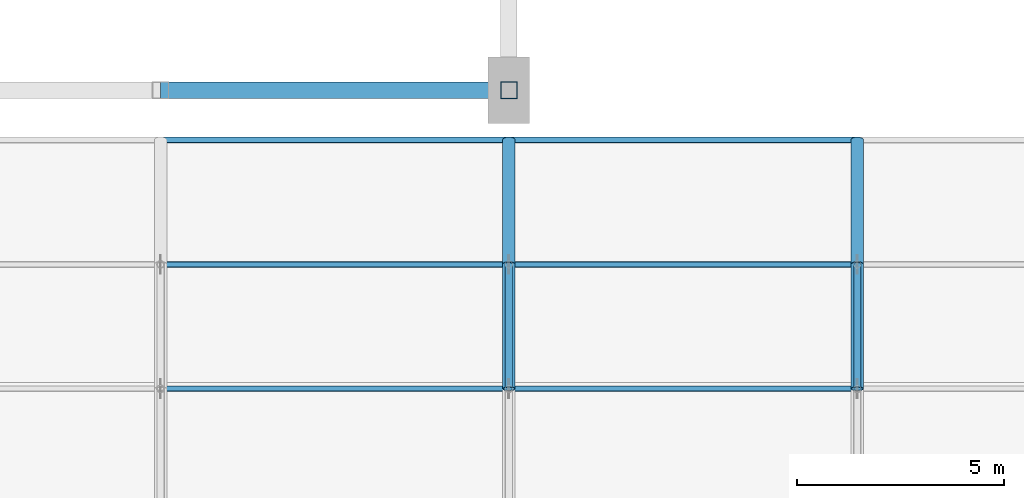
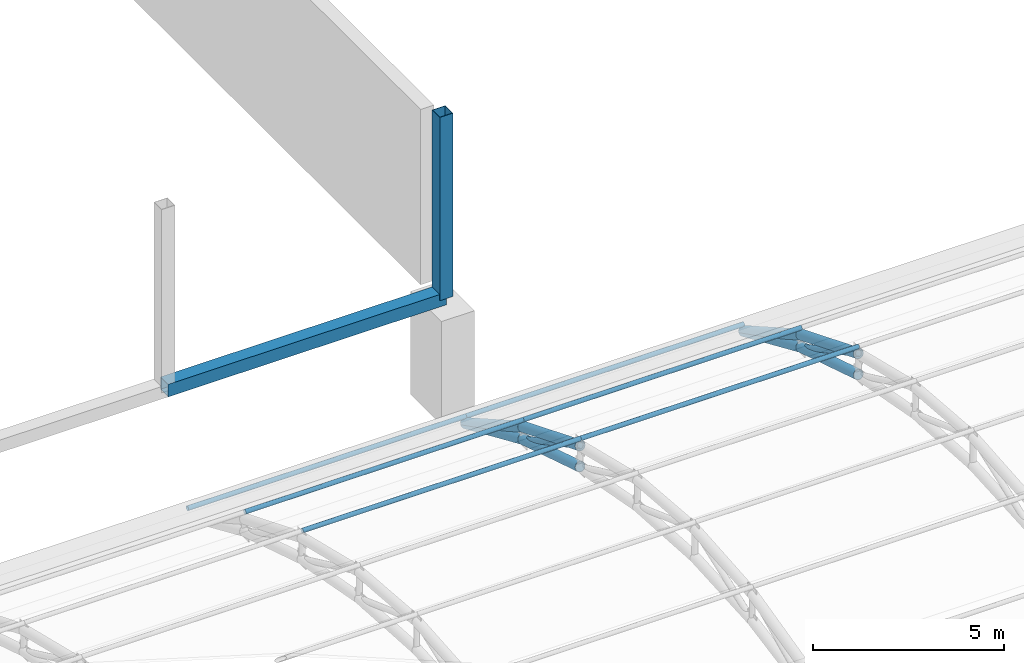
# One storey, part 55 of 163: 18 members.
"""IFC4 building model written with IfcOpenShell, lengths in metres."""

from ifc_helpers import new_model, si_unit, direction, frame, origin, origin_2d, place, context, subcontext, project, spatial, hollow_rectangle, hollow_circle, extrude, material, material_profile, profile_set, type_object, element, save


model = new_model("IFC4")

# Units and contexts
model_context = context("Model", 3, precision=1e-05, world=origin(), true_north=direction((0.0, 1.0)))
body_context = subcontext(model_context, "Body", "Model", "MODEL_VIEW")
ifc_project = project(units=[si_unit("LENGTHUNIT", "METRE"), si_unit("AREAUNIT", "SQUARE_METRE"), si_unit("VOLUMEUNIT", "CUBIC_METRE"), si_unit("PLANEANGLEUNIT", "RADIAN"), si_unit("MASSUNIT", "GRAM", prefix="KILO")], contexts=[model_context])

# Site, building, storey
site_placement = place(None, origin())
site = spatial("IfcSite", under=ifc_project, at=site_placement, CompositionType="ELEMENT")
building_placement = place(site_placement, origin())
building = spatial("IfcBuilding", under=site, at=building_placement, Name="Rain Tree Exposition and Congress Centre", CompositionType="ELEMENT")
storey_placement = place(building_placement, frame((0.0, 0.0, 10.5)))
storey = spatial("IfcBuildingStorey", under=building, at=storey_placement, Name="L02", CompositionType="ELEMENT", Elevation=10.5)

# Members
ifc_material_1 = material(Name="Steel S355J2H", Category="steel")
ifc_material_profile_1 = material_profile(ifc_material_1, hollow_circle(Radius=0.090087890625, WallThickness=0.008056640625, at=origin_2d()), Name="CHS 180x8")
ifc_profile_set_1 = profile_set([ifc_material_profile_1], Name="Steel S355J2H")
member_type_1 = type_object("IfcMemberType", Name="Steel brace member CHS 180x8", PredefinedType="BRACE", material=ifc_profile_set_1)
for number, where, z_axis, x_axis, name in (
    (1, (243.60009765625, 96.60009765625, 1.4423828125), (0.0, -0.880818418444, 0.473454236151), (1.0, 0.0, 0.0), "Roof truss 30 diagonal 6"),
    (2, (252.0, 96.60009765625, 1.4423828125), (0.0, -0.880818418444, 0.473454236151), (1.0, 0.0, 0.0), "Roof truss 31 diagonal 6"),
):
    element("IfcMember", number, at=place(storey_placement, frame(where, z_axis=z_axis, x_axis=x_axis)), inside=storey, type_object=member_type_1, Name=name, PredefinedType="BRACE", context=body_context, shape_type="SweptSolid", body=[
        extrude(hollow_circle(Radius=0.090087890625, WallThickness=0.008056640625, at=origin_2d()), origin(), (0.0, 0.0, 1.0), 3.406005859375),
    ])
ifc_material_2 = material(Name="Steel S355J2H", Category="steel")
ifc_material_profile_2 = material_profile(ifc_material_2, hollow_circle(Radius=0.14990234375, WallThickness=0.013916015625, at=origin_2d()), Name="CHS 300x14")
ifc_profile_set_2 = profile_set([ifc_material_profile_2], Name="Steel S355J2H")
member_type_2 = type_object("IfcMemberType", Name="Steel chord member CHS 300x14", PredefinedType="CHORD", material=ifc_profile_set_2)
member_1_placement = place(storey_placement, frame((243.60009765625, 93.60009765625, 3.054931640625), z_axis=(0.0, 0.926466577122, -0.376377046956), x_axis=(-1.0, 0.0, 0.0)))
element("IfcMember", 3, at=member_1_placement, inside=storey, type_object=member_type_2, Name="Roof truss 30 top chord 7", PredefinedType="CHORD", context=body_context, shape_type="SweptSolid", body=[
    extrude(hollow_circle(Radius=0.14990234375, WallThickness=0.013916015625, at=origin_2d()), origin(), (0.0, 0.0, 1.0), 3.238037109375),
])
member_2_placement = place(storey_placement, frame((243.60009765625, 93.60009765625, 2.3798828125), z_axis=(0.0, 0.954479978035, -0.298274993136), x_axis=(-1.0, 0.0, 0.0)))
element("IfcMember", 4, at=member_2_placement, inside=storey, type_object=member_type_2, Name="Roof truss 30 bottom chord 7", PredefinedType="CHORD", context=body_context, shape_type="SweptSolid", body=[
    extrude(hollow_circle(Radius=0.14990234375, WallThickness=0.013916015625, at=origin_2d()), origin(), (0.0, 0.0, 1.0), 3.14306640625),
])
member_3_placement = place(storey_placement, frame((243.60009765625, 96.60009765625, 1.836181640625), z_axis=(0.0, 0.869238262324, -0.494393409455), x_axis=(-1.0, 0.0, 0.0)))
element("IfcMember", 5, at=member_3_placement, inside=storey, type_object=member_type_2, Name="Roof truss 30 top chord 8", PredefinedType="CHORD", context=body_context, shape_type="SweptSolid", body=[
    extrude(hollow_circle(Radius=0.14990234375, WallThickness=0.013916015625, at=origin_2d()), origin(), (0.0, 0.0, 1.0), 3.451416015625),
])
member_4_placement = place(storey_placement, frame((243.60009765625, 96.60009765625, 1.4423828125), z_axis=(0.0, 0.916157334902, -0.40081883402), x_axis=(-1.0, 0.0, 0.0)))
element("IfcMember", 6, at=member_4_placement, inside=storey, type_object=member_type_2, Name="Roof truss 30 bottom chord 8", PredefinedType="CHORD", context=body_context, shape_type="SweptSolid", body=[
    extrude(hollow_circle(Radius=0.14990234375, WallThickness=0.013916015625, at=origin_2d()), origin(), (0.0, 0.0, 1.0), 3.274658203125),
])
member_5_placement = place(storey_placement, frame((252.0, 93.60009765625, 3.054931640625), z_axis=(0.0, 0.926466577122, -0.376377046956), x_axis=(-1.0, 0.0, 0.0)))
element("IfcMember", 7, at=member_5_placement, inside=storey, type_object=member_type_2, Name="Roof truss 31 top chord 7", PredefinedType="CHORD", context=body_context, shape_type="SweptSolid", body=[
    extrude(hollow_circle(Radius=0.14990234375, WallThickness=0.013916015625, at=origin_2d()), origin(), (0.0, 0.0, 1.0), 3.238037109375),
])
member_6_placement = place(storey_placement, frame((252.0, 93.60009765625, 2.3798828125), z_axis=(0.0, 0.954479978035, -0.298274993136), x_axis=(-1.0, 0.0, 0.0)))
element("IfcMember", 8, at=member_6_placement, inside=storey, type_object=member_type_2, Name="Roof truss 31 bottom chord 7", PredefinedType="CHORD", context=body_context, shape_type="SweptSolid", body=[
    extrude(hollow_circle(Radius=0.14990234375, WallThickness=0.013916015625, at=origin_2d()), origin(), (0.0, 0.0, 1.0), 3.14306640625),
])
member_7_placement = place(storey_placement, frame((252.0, 96.60009765625, 1.836181640625), z_axis=(0.0, 0.869238262324, -0.494393409455), x_axis=(-1.0, 0.0, 0.0)))
element("IfcMember", 9, at=member_7_placement, inside=storey, type_object=member_type_2, Name="Roof truss 31 top chord 8", PredefinedType="CHORD", context=body_context, shape_type="SweptSolid", body=[
    extrude(hollow_circle(Radius=0.14990234375, WallThickness=0.013916015625, at=origin_2d()), origin(), (0.0, 0.0, 1.0), 3.451416015625),
])
member_8_placement = place(storey_placement, frame((252.0, 96.60009765625, 1.4423828125), z_axis=(0.0, 0.916157334902, -0.40081883402), x_axis=(-1.0, 0.0, 0.0)))
element("IfcMember", 10, at=member_8_placement, inside=storey, type_object=member_type_2, Name="Roof truss 31 bottom chord 8", PredefinedType="CHORD", context=body_context, shape_type="SweptSolid", body=[
    extrude(hollow_circle(Radius=0.14990234375, WallThickness=0.013916015625, at=origin_2d()), origin(), (0.0, 0.0, 1.0), 3.274658203125),
])
ifc_material_3 = material(Name="Steel S355J2H", Category="steel")
ifc_material_profile_3 = material_profile(ifc_material_3, hollow_rectangle(XDim=0.39990234375, YDim=0.39990234375, WallThickness=0.011962890625, at=origin_2d()), Name="RHS 400x400x12")
ifc_profile_set_3 = profile_set([ifc_material_profile_3], Name="Steel S355J2H")
member_type_3 = type_object("IfcMemberType", Name="Steel chord member RHS 400x400x12", PredefinedType="CHORD", material=ifc_profile_set_3)
member_9_placement = place(storey_placement, frame((235.199951171875, 100.800048828125, 3.5), z_axis=(1.0, 0.0, 0.0), x_axis=(0.0, 1.0, 0.0)))
element("IfcMember", 11, at=member_9_placement, inside=storey, type_object=member_type_3, Name="Eaves chord 1164", PredefinedType="CHORD", context=body_context, shape_type="SweptSolid", body=[
    extrude(hollow_rectangle(XDim=0.39990234375, YDim=0.39990234375, WallThickness=0.011962890625, at=origin_2d()), origin(), (0.0, 0.0, 1.0), 8.400146484375),
])
ifc_material_4 = material(Name="Steel S355J2H", Category="steel")
ifc_material_profile_4 = material_profile(ifc_material_4, hollow_rectangle(XDim=0.39990234375, YDim=0.39990234375, WallThickness=0.011962890625, at=origin_2d()), Name="RHS 400x400x12")
ifc_profile_set_4 = profile_set([ifc_material_profile_4], Name="Steel S355J2H")
member_type_4 = type_object("IfcMemberType", Name="Steel post member RHS 400x400x12", PredefinedType="POST", material=ifc_profile_set_4)
member_10_placement = place(storey_placement, frame((243.60009765625, 100.800048828125, 3.5), z_axis=(0.0, 0.0, 1.0), x_axis=(1.0, 0.0, 0.0)))
element("IfcMember", 12, at=member_10_placement, inside=storey, type_object=member_type_4, Name="Eaves post 1177", PredefinedType="POST", context=body_context, shape_type="SweptSolid", body=[
    extrude(hollow_rectangle(XDim=0.39990234375, YDim=0.39990234375, WallThickness=0.011962890625, at=origin_2d()), origin(), (0.0, 0.0, 1.0), 5.85009765625),
])
ifc_material_5 = material(Name="Steel S355J2H", Category="steel")
ifc_material_profile_5 = material_profile(ifc_material_5, hollow_circle(Radius=0.070068359375, WallThickness=0.006103515625, at=origin_2d()), Name="CHS 140x6")
ifc_profile_set_5 = profile_set([ifc_material_profile_5], Name="Steel S355J2H")
member_type_5 = type_object("IfcMemberType", Name="Steel purlin member CHS 140x6", PredefinedType="PURLIN", material=ifc_profile_set_5)
member_11_placement = place(storey_placement, frame((235.199951171875, 93.60009765625, 3.27490234375), z_axis=(1.0, 0.0, 0.0), x_axis=(0.0, 1.0, 0.0)))
element("IfcMember", 13, at=member_11_placement, inside=storey, type_object=member_type_5, Name="Roof purlin 7.29", PredefinedType="PURLIN", context=body_context, shape_type="SweptSolid", body=[
    extrude(hollow_circle(Radius=0.070068359375, WallThickness=0.006103515625, at=origin_2d()), origin(), (0.0, 0.0, 1.0), 8.400146484375),
])
member_12_placement = place(storey_placement, frame((243.60009765625, 93.60009765625, 3.27490234375), z_axis=(1.0, 0.0, 0.0), x_axis=(0.0, 1.0, 0.0)))
element("IfcMember", 14, at=member_12_placement, inside=storey, type_object=member_type_5, Name="Roof purlin 7.30", PredefinedType="PURLIN", context=body_context, shape_type="SweptSolid", body=[
    extrude(hollow_circle(Radius=0.070068359375, WallThickness=0.006103515625, at=origin_2d()), origin(), (0.0, 0.0, 1.0), 8.39990234375),
])
member_13_placement = place(storey_placement, frame((235.199951171875, 96.60009765625, 2.056396484375), z_axis=(1.0, 0.0, 0.0), x_axis=(0.0, 1.0, 0.0)))
element("IfcMember", 15, at=member_13_placement, inside=storey, type_object=member_type_5, Name="Roof purlin 8.29", PredefinedType="PURLIN", context=body_context, shape_type="SweptSolid", body=[
    extrude(hollow_circle(Radius=0.070068359375, WallThickness=0.006103515625, at=origin_2d()), origin(), (0.0, 0.0, 1.0), 8.400146484375),
])
member_14_placement = place(storey_placement, frame((243.60009765625, 96.60009765625, 2.056396484375), z_axis=(1.0, 0.0, 0.0), x_axis=(0.0, 1.0, 0.0)))
element("IfcMember", 16, at=member_14_placement, inside=storey, type_object=member_type_5, Name="Roof purlin 8.30", PredefinedType="PURLIN", context=body_context, shape_type="SweptSolid", body=[
    extrude(hollow_circle(Radius=0.070068359375, WallThickness=0.006103515625, at=origin_2d()), origin(), (0.0, 0.0, 1.0), 8.39990234375),
])
member_15_placement = place(storey_placement, frame((235.199951171875, 99.60009765625, 0.35009765625), z_axis=(1.0, 0.0, 0.0), x_axis=(0.0, 1.0, 0.0)))
element("IfcMember", 17, at=member_15_placement, inside=storey, type_object=member_type_5, Name="Roof purlin 9.29", PredefinedType="PURLIN", context=body_context, shape_type="SweptSolid", body=[
    extrude(hollow_circle(Radius=0.070068359375, WallThickness=0.006103515625, at=origin_2d()), origin(), (0.0, 0.0, 1.0), 8.400146484375),
])
member_16_placement = place(storey_placement, frame((243.60009765625, 99.60009765625, 0.35009765625), z_axis=(1.0, 0.0, 0.0), x_axis=(0.0, 1.0, 0.0)))
element("IfcMember", 18, at=member_16_placement, inside=storey, type_object=member_type_5, Name="Roof purlin 9.30", PredefinedType="PURLIN", context=body_context, shape_type="SweptSolid", body=[
    extrude(hollow_circle(Radius=0.070068359375, WallThickness=0.006103515625, at=origin_2d()), origin(), (0.0, 0.0, 1.0), 8.39990234375),
])

save(model, "model.ifc")
